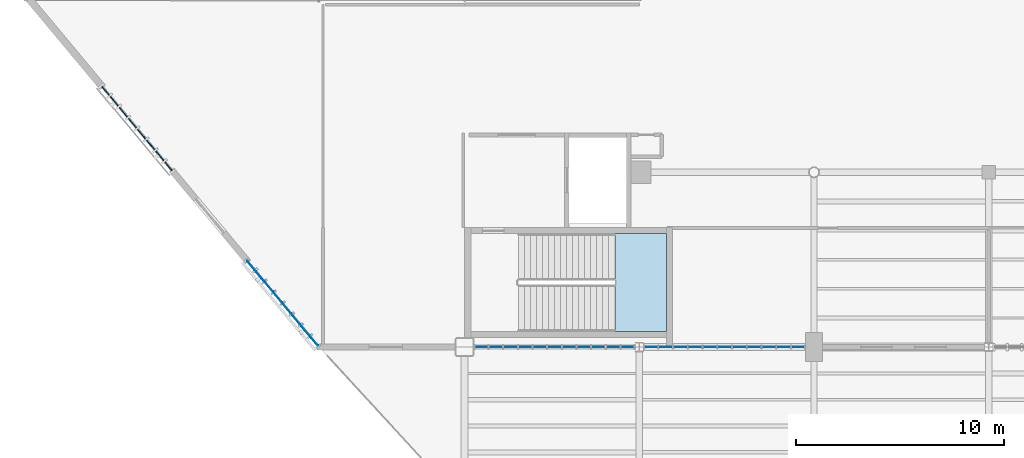
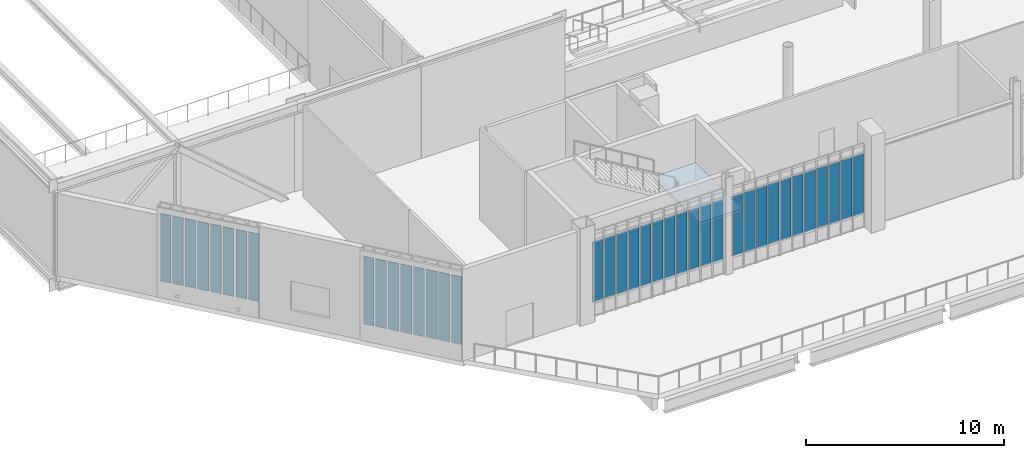
# One storey, part 65 of 135: 38 plates, 1 slab, 5 elements without a shape of their own.
"""IFC4 building model written with IfcOpenShell, lengths in metres."""

from ifc_helpers import new_model, si_unit, direction, frame, origin, origin_2d, place, context, subcontext, project, spatial, polyline, rectangle, outline, extrude, material, layer, layer_set, type_object, element, aggregate, save


model = new_model("IFC4")

# Units and contexts
model_context = context("Model", 3, precision=1e-05, world=origin(), true_north=direction((0.0, 1.0)))
body_context = subcontext(model_context, "Body", "Model", "MODEL_VIEW")
ifc_project = project(units=[si_unit("LENGTHUNIT", "METRE"), si_unit("AREAUNIT", "SQUARE_METRE"), si_unit("VOLUMEUNIT", "CUBIC_METRE"), si_unit("PLANEANGLEUNIT", "RADIAN"), si_unit("MASSUNIT", "GRAM", prefix="KILO")], contexts=[model_context])

# Site, building, storey
site_placement = place(None, origin())
site = spatial("IfcSite", under=ifc_project, at=site_placement, CompositionType="ELEMENT")
building_placement = place(site_placement, origin())
building = spatial("IfcBuilding", under=site, at=building_placement, Name="Larkvane Passage Sports Hall", CompositionType="ELEMENT")
storey_placement = place(building_placement, frame((0.0, 0.0, 10.800048828125)))
storey = spatial("IfcBuildingStorey", under=building, at=storey_placement, Name="L02", CompositionType="ELEMENT", Elevation=10.800048828125)

# Curtain wall, plates
ifc_material_1 = material(Name="Thermally broken aluminium and low-E glazing", Category="aluminium")
curtain_wall_type_1 = type_object("IfcCurtainWallType", Name="CW-UNIT-COURT", PredefinedType="USERDEFINED", material=ifc_material_1)
curtain_wall_1_placement = place(storey_placement, origin())
curtain_wall_1 = element("IfcCurtainWall", 1, at=curtain_wall_1_placement, inside=storey, type_object=curtain_wall_type_1, Name="Curtain wall CW5-L02-088", ObjectType="UNITISED CURTAIN WALL", PredefinedType="USERDEFINED")
ifc_material_2 = material(Name="Solar-control low-E double glazing", Category="glass")
ifc_layer_1 = layer(ifc_material_2, 0.028076171875)
ifc_layer_set_1 = layer_set([ifc_layer_1], Name="Solar-control low-E double glazing")
plate_type_1 = type_object("IfcPlateType", Name="CWP-VIS-28", PredefinedType="CURTAIN_PANEL", material=ifc_layer_set_1)
plate_1_placement = place(storey_placement, frame((50.833251953125, 22.800048828125, 0.88232421875), z_axis=(0.0, 0.0, 1.0), x_axis=(-1.0, 0.0, 0.0)))
plate_1 = element("IfcPlate", 2, at=plate_1_placement, type_object=plate_type_1, Name="CW-01 panel 1.2", PredefinedType="CURTAIN_PANEL", context=body_context, shape_type="SweptSolid", body=[
    extrude(rectangle(XDim=0.611572265625, YDim=0.028076171875, at=origin_2d()), origin(), (0.0, 0.0, 1.0), 3.68310546875),
])
plate_2_placement = place(storey_placement, frame((50.140380859375, 22.800048828125, 0.88232421875), z_axis=(0.0, 0.0, 1.0), x_axis=(-1.0, 0.0, 0.0)))
plate_2 = element("IfcPlate", 3, at=plate_2_placement, type_object=plate_type_1, Name="CW-01 panel 2.2", PredefinedType="CURTAIN_PANEL", context=body_context, shape_type="SweptSolid", body=[
    extrude(rectangle(XDim=0.64404296875, YDim=0.028076171875, at=origin_2d()), origin(), (0.0, 0.0, 1.0), 3.68310546875),
])
plate_3_placement = place(storey_placement, frame((49.431396484375, 22.800048828125, 0.88232421875), z_axis=(0.0, 0.0, 1.0), x_axis=(-1.0, 0.0, 0.0)))
plate_3 = element("IfcPlate", 4, at=plate_3_placement, type_object=plate_type_1, Name="CW-01 panel 3.2", PredefinedType="CURTAIN_PANEL", context=body_context, shape_type="SweptSolid", body=[
    extrude(rectangle(XDim=0.64404296875, YDim=0.028076171875, at=origin_2d()), origin(), (0.0, 0.0, 1.0), 3.68310546875),
])
plate_4_placement = place(storey_placement, frame((48.722412109375, 22.800048828125, 0.88232421875), z_axis=(0.0, 0.0, 1.0), x_axis=(-1.0, 0.0, 0.0)))
plate_4 = element("IfcPlate", 5, at=plate_4_placement, type_object=plate_type_1, Name="CW-01 panel 4.2", PredefinedType="CURTAIN_PANEL", context=body_context, shape_type="SweptSolid", body=[
    extrude(rectangle(XDim=0.64404296875, YDim=0.028076171875, at=origin_2d()), origin(), (0.0, 0.0, 1.0), 3.68310546875),
])
plate_5_placement = place(storey_placement, frame((48.01318359375, 22.800048828125, 0.88232421875), z_axis=(0.0, 0.0, 1.0), x_axis=(-1.0, 0.0, 0.0)))
plate_5 = element("IfcPlate", 6, at=plate_5_placement, type_object=plate_type_1, Name="CW-01 panel 5.2", PredefinedType="CURTAIN_PANEL", context=body_context, shape_type="SweptSolid", body=[
    extrude(rectangle(XDim=0.64404296875, YDim=0.028076171875, at=origin_2d()), origin(), (0.0, 0.0, 1.0), 3.68310546875),
])
plate_6_placement = place(storey_placement, frame((47.30419921875, 22.800048828125, 0.88232421875), z_axis=(0.0, 0.0, 1.0), x_axis=(-1.0, 0.0, 0.0)))
plate_6 = element("IfcPlate", 7, at=plate_6_placement, type_object=plate_type_1, Name="CW-01 panel 6.2", PredefinedType="CURTAIN_PANEL", context=body_context, shape_type="SweptSolid", body=[
    extrude(rectangle(XDim=0.64404296875, YDim=0.028076171875, at=origin_2d()), origin(), (0.0, 0.0, 1.0), 3.68310546875),
])
plate_7_placement = place(storey_placement, frame((46.59521484375, 22.800048828125, 0.88232421875), z_axis=(0.0, 0.0, 1.0), x_axis=(-1.0, 0.0, 0.0)))
plate_7 = element("IfcPlate", 8, at=plate_7_placement, type_object=plate_type_1, Name="CW-01 panel 7.2", PredefinedType="CURTAIN_PANEL", context=body_context, shape_type="SweptSolid", body=[
    extrude(rectangle(XDim=0.64404296875, YDim=0.028076171875, at=origin_2d()), origin(), (0.0, 0.0, 1.0), 3.68310546875),
])
plate_8_placement = place(storey_placement, frame((45.88623046875, 22.800048828125, 0.88232421875), z_axis=(0.0, 0.0, 1.0), x_axis=(-1.0, 0.0, 0.0)))
plate_8 = element("IfcPlate", 9, at=plate_8_placement, type_object=plate_type_1, Name="CW-01 panel 8.2", PredefinedType="CURTAIN_PANEL", context=body_context, shape_type="SweptSolid", body=[
    extrude(rectangle(XDim=0.64404296875, YDim=0.028076171875, at=origin_2d()), origin(), (0.0, 0.0, 1.0), 3.68310546875),
])
plate_9_placement = place(storey_placement, frame((45.177001953125, 22.800048828125, 0.88232421875), z_axis=(0.0, 0.0, 1.0), x_axis=(-1.0, 0.0, 0.0)))
plate_9 = element("IfcPlate", 10, at=plate_9_placement, type_object=plate_type_1, Name="CW-01 panel 9.2", PredefinedType="CURTAIN_PANEL", context=body_context, shape_type="SweptSolid", body=[
    extrude(rectangle(XDim=0.64404296875, YDim=0.028076171875, at=origin_2d()), origin(), (0.0, 0.0, 1.0), 3.68310546875),
])
plate_10_placement = place(storey_placement, frame((44.468017578125, 22.800048828125, 0.88232421875), z_axis=(0.0, 0.0, 1.0), x_axis=(-1.0, 0.0, 0.0)))
plate_10 = element("IfcPlate", 11, at=plate_10_placement, type_object=plate_type_1, Name="CW-01 panel 10.2", PredefinedType="CURTAIN_PANEL", context=body_context, shape_type="SweptSolid", body=[
    extrude(rectangle(XDim=0.64404296875, YDim=0.028076171875, at=origin_2d()), origin(), (0.0, 0.0, 1.0), 3.68310546875),
])
plate_11_placement = place(storey_placement, frame((43.775390625, 22.800048828125, 0.88232421875), z_axis=(0.0, 0.0, 1.0), x_axis=(-1.0, 0.0, 0.0)))
plate_11 = element("IfcPlate", 12, at=plate_11_placement, type_object=plate_type_1, Name="CW-01 panel 11.2", PredefinedType="CURTAIN_PANEL", context=body_context, shape_type="SweptSolid", body=[
    extrude(rectangle(XDim=0.611572265625, YDim=0.028076171875, at=origin_2d()), origin(), (0.0, 0.0, 1.0), 3.68310546875),
])
aggregate(curtain_wall_1, [plate_1, plate_2, plate_3, plate_4, plate_5, plate_6, plate_7, plate_8, plate_9, plate_10, plate_11])

curtain_wall_type_2 = type_object("IfcCurtainWallType", Name="CW-UNIT-VEIL", PredefinedType="USERDEFINED", material=ifc_material_1)
curtain_wall_2_placement = place(storey_placement, origin())
curtain_wall_2 = element("IfcCurtainWall", 13, at=curtain_wall_2_placement, inside=storey, type_object=curtain_wall_type_2, Name="Curtain wall CW5-L02-089", ObjectType="UNITISED CURTAIN WALL", PredefinedType="USERDEFINED")
ifc_material_3 = material(Name="Laminated acoustic low-E glazing", Category="glass")
ifc_layer_2 = layer(ifc_material_3, 0.031982421875)
ifc_layer_set_2 = layer_set([ifc_layer_2], Name="Laminated acoustic low-E glazing")
plate_type_2 = type_object("IfcPlateType", Name="CWP-VIS-32", PredefinedType="CURTAIN_PANEL", material=ifc_layer_set_2)
plate_12_placement = place(storey_placement, frame((42.62451171875, 22.800048828125, 0.8876953125), z_axis=(0.0, 0.0, 1.0), x_axis=(-1.0, 0.0, 0.0)))
plate_12 = element("IfcPlate", 14, at=plate_12_placement, type_object=plate_type_2, Name="CW-02 panel 1.2", PredefinedType="CURTAIN_PANEL", context=body_context, shape_type="SweptSolid", body=[
    extrude(rectangle(XDim=0.592041015625, YDim=0.031982421875, at=origin_2d()), origin(), (0.0, 0.0, 1.0), 3.722900390625),
])
plate_13_placement = place(storey_placement, frame((41.938720703125, 22.800048828125, 0.8876953125), z_axis=(0.0, 0.0, 1.0), x_axis=(-1.0, 0.0, 0.0)))
plate_13 = element("IfcPlate", 15, at=plate_13_placement, type_object=plate_type_2, Name="CW-02 panel 2.2", PredefinedType="CURTAIN_PANEL", context=body_context, shape_type="SweptSolid", body=[
    extrude(rectangle(XDim=0.62939453125, YDim=0.031982421875, at=origin_2d()), origin(), (0.0, 0.0, 1.0), 3.722900390625),
])
plate_14_placement = place(storey_placement, frame((41.234130859375, 22.800048828125, 0.8876953125), z_axis=(0.0, 0.0, 1.0), x_axis=(-1.0, 0.0, 0.0)))
plate_14 = element("IfcPlate", 16, at=plate_14_placement, type_object=plate_type_2, Name="CW-02 panel 3.2", PredefinedType="CURTAIN_PANEL", context=body_context, shape_type="SweptSolid", body=[
    extrude(rectangle(XDim=0.62939453125, YDim=0.031982421875, at=origin_2d()), origin(), (0.0, 0.0, 1.0), 3.722900390625),
])
plate_15_placement = place(storey_placement, frame((40.52978515625, 22.800048828125, 0.8876953125), z_axis=(0.0, 0.0, 1.0), x_axis=(-1.0, 0.0, 0.0)))
plate_15 = element("IfcPlate", 17, at=plate_15_placement, type_object=plate_type_2, Name="CW-02 panel 4.2", PredefinedType="CURTAIN_PANEL", context=body_context, shape_type="SweptSolid", body=[
    extrude(rectangle(XDim=0.62939453125, YDim=0.031982421875, at=origin_2d()), origin(), (0.0, 0.0, 1.0), 3.722900390625),
])
plate_16_placement = place(storey_placement, frame((39.8251953125, 22.800048828125, 0.8876953125), z_axis=(0.0, 0.0, 1.0), x_axis=(-1.0, 0.0, 0.0)))
plate_16 = element("IfcPlate", 18, at=plate_16_placement, type_object=plate_type_2, Name="CW-02 panel 5.2", PredefinedType="CURTAIN_PANEL", context=body_context, shape_type="SweptSolid", body=[
    extrude(rectangle(XDim=0.62939453125, YDim=0.031982421875, at=origin_2d()), origin(), (0.0, 0.0, 1.0), 3.722900390625),
])
plate_17_placement = place(storey_placement, frame((39.120849609375, 22.800048828125, 0.8876953125), z_axis=(0.0, 0.0, 1.0), x_axis=(-1.0, 0.0, 0.0)))
plate_17 = element("IfcPlate", 19, at=plate_17_placement, type_object=plate_type_2, Name="CW-02 panel 6.2", PredefinedType="CURTAIN_PANEL", context=body_context, shape_type="SweptSolid", body=[
    extrude(rectangle(XDim=0.62939453125, YDim=0.031982421875, at=origin_2d()), origin(), (0.0, 0.0, 1.0), 3.722900390625),
])
plate_18_placement = place(storey_placement, frame((38.416259765625, 22.800048828125, 0.8876953125), z_axis=(0.0, 0.0, 1.0), x_axis=(-1.0, 0.0, 0.0)))
plate_18 = element("IfcPlate", 20, at=plate_18_placement, type_object=plate_type_2, Name="CW-02 panel 7.2", PredefinedType="CURTAIN_PANEL", context=body_context, shape_type="SweptSolid", body=[
    extrude(rectangle(XDim=0.62939453125, YDim=0.031982421875, at=origin_2d()), origin(), (0.0, 0.0, 1.0), 3.722900390625),
])
plate_19_placement = place(storey_placement, frame((37.711669921875, 22.800048828125, 0.8876953125), z_axis=(0.0, 0.0, 1.0), x_axis=(-1.0, 0.0, 0.0)))
plate_19 = element("IfcPlate", 21, at=plate_19_placement, type_object=plate_type_2, Name="CW-02 panel 8.2", PredefinedType="CURTAIN_PANEL", context=body_context, shape_type="SweptSolid", body=[
    extrude(rectangle(XDim=0.62939453125, YDim=0.031982421875, at=origin_2d()), origin(), (0.0, 0.0, 1.0), 3.722900390625),
])
plate_20_placement = place(storey_placement, frame((37.00732421875, 22.800048828125, 0.8876953125), z_axis=(0.0, 0.0, 1.0), x_axis=(-1.0, 0.0, 0.0)))
plate_20 = element("IfcPlate", 22, at=plate_20_placement, type_object=plate_type_2, Name="CW-02 panel 9.2", PredefinedType="CURTAIN_PANEL", context=body_context, shape_type="SweptSolid", body=[
    extrude(rectangle(XDim=0.62939453125, YDim=0.031982421875, at=origin_2d()), origin(), (0.0, 0.0, 1.0), 3.722900390625),
])
plate_21_placement = place(storey_placement, frame((36.302734375, 22.800048828125, 0.8876953125), z_axis=(0.0, 0.0, 1.0), x_axis=(-1.0, 0.0, 0.0)))
plate_21 = element("IfcPlate", 23, at=plate_21_placement, type_object=plate_type_2, Name="CW-02 panel 10.2", PredefinedType="CURTAIN_PANEL", context=body_context, shape_type="SweptSolid", body=[
    extrude(rectangle(XDim=0.62939453125, YDim=0.031982421875, at=origin_2d()), origin(), (0.0, 0.0, 1.0), 3.722900390625),
])
plate_22_placement = place(storey_placement, frame((35.616943359375, 22.800048828125, 0.8876953125), z_axis=(0.0, 0.0, 1.0), x_axis=(-1.0, 0.0, 0.0)))
plate_22 = element("IfcPlate", 24, at=plate_22_placement, type_object=plate_type_2, Name="CW-02 panel 11.2", PredefinedType="CURTAIN_PANEL", context=body_context, shape_type="SweptSolid", body=[
    extrude(rectangle(XDim=0.592041015625, YDim=0.031982421875, at=origin_2d()), origin(), (0.0, 0.0, 1.0), 3.722900390625),
])
aggregate(curtain_wall_2, [plate_12, plate_13, plate_14, plate_15, plate_16, plate_17, plate_18, plate_19, plate_20, plate_21, plate_22])

curtain_wall_type_3 = type_object("IfcCurtainWallType", Name="CW-STICK-FOYER", PredefinedType="USERDEFINED", material=ifc_material_1)
curtain_wall_3_placement = place(storey_placement, origin())
curtain_wall_3 = element("IfcCurtainWall", 25, at=curtain_wall_3_placement, inside=storey, type_object=curtain_wall_type_3, Name="Curtain wall CW5-L02-090", ObjectType="STICK CURTAIN WALL", PredefinedType="USERDEFINED")
ifc_material_4 = material(Name="High-impact court low-E glazing", Category="glass")
ifc_layer_3 = layer(ifc_material_4, 0.035888671875)
ifc_layer_set_3 = layer_set([ifc_layer_3], Name="High-impact court low-E glazing")
plate_type_3 = type_object("IfcPlateType", Name="CWP-VIS-36", PredefinedType="CURTAIN_PANEL", material=ifc_layer_set_3)
plate_23_placement = place(storey_placement, frame((27.56689453125, 23.079833984375, 0.89501953125), z_axis=(0.0, 0.0, 1.0), x_axis=(-0.640184399661, 0.7682212796, 0.0)))
plate_23 = element("IfcPlate", 26, at=plate_23_placement, type_object=plate_type_3, Name="CW-03 panel 1.2", PredefinedType="CURTAIN_PANEL", context=body_context, shape_type="SweptSolid", body=[
    extrude(rectangle(XDim=0.54833984375, YDim=0.035888671875, at=origin_2d()), origin(), (0.0, 0.0, 1.0), 4.18994140625),
])
plate_24_placement = place(storey_placement, frame((27.143798828125, 23.58740234375, 0.89501953125), z_axis=(0.0, 0.0, 1.0), x_axis=(-0.640184399661, 0.7682212796, 0.0)))
plate_24 = element("IfcPlate", 27, at=plate_24_placement, type_object=plate_type_3, Name="CW-03 panel 2.2", PredefinedType="CURTAIN_PANEL", context=body_context, shape_type="SweptSolid", body=[
    extrude(rectangle(XDim=0.593505859375, YDim=0.035888671875, at=origin_2d()), origin(), (0.0, 0.0, 1.0), 4.18994140625),
])
plate_25_placement = place(storey_placement, frame((26.706298828125, 24.112548828125, 0.89501953125), z_axis=(0.0, 0.0, 1.0), x_axis=(-0.640184399661, 0.7682212796, 0.0)))
plate_25 = element("IfcPlate", 28, at=plate_25_placement, type_object=plate_type_3, Name="CW-03 panel 3.2", PredefinedType="CURTAIN_PANEL", context=body_context, shape_type="SweptSolid", body=[
    extrude(rectangle(XDim=0.593505859375, YDim=0.035888671875, at=origin_2d()), origin(), (0.0, 0.0, 1.0), 4.18994140625),
])
plate_26_placement = place(storey_placement, frame((26.268798828125, 24.637451171875, 0.89501953125), z_axis=(0.0, 0.0, 1.0), x_axis=(-0.640184399661, 0.7682212796, 0.0)))
plate_26 = element("IfcPlate", 29, at=plate_26_placement, type_object=plate_type_3, Name="CW-03 panel 4.2", PredefinedType="CURTAIN_PANEL", context=body_context, shape_type="SweptSolid", body=[
    extrude(rectangle(XDim=0.593505859375, YDim=0.035888671875, at=origin_2d()), origin(), (0.0, 0.0, 1.0), 4.18994140625),
])
plate_27_placement = place(storey_placement, frame((25.831298828125, 25.16259765625, 0.89501953125), z_axis=(0.0, 0.0, 1.0), x_axis=(-0.640184399661, 0.7682212796, 0.0)))
plate_27 = element("IfcPlate", 30, at=plate_27_placement, type_object=plate_type_3, Name="CW-03 panel 5.2", PredefinedType="CURTAIN_PANEL", context=body_context, shape_type="SweptSolid", body=[
    extrude(rectangle(XDim=0.593505859375, YDim=0.035888671875, at=origin_2d()), origin(), (0.0, 0.0, 1.0), 4.18994140625),
])
plate_28_placement = place(storey_placement, frame((25.393798828125, 25.6875, 0.89501953125), z_axis=(0.0, 0.0, 1.0), x_axis=(-0.640184399661, 0.7682212796, 0.0)))
plate_28 = element("IfcPlate", 31, at=plate_28_placement, type_object=plate_type_3, Name="CW-03 panel 6.2", PredefinedType="CURTAIN_PANEL", context=body_context, shape_type="SweptSolid", body=[
    extrude(rectangle(XDim=0.593505859375, YDim=0.035888671875, at=origin_2d()), origin(), (0.0, 0.0, 1.0), 4.18994140625),
])
plate_29_placement = place(storey_placement, frame((24.956298828125, 26.21240234375, 0.89501953125), z_axis=(0.0, 0.0, 1.0), x_axis=(-0.640184399661, 0.7682212796, 0.0)))
plate_29 = element("IfcPlate", 32, at=plate_29_placement, type_object=plate_type_3, Name="CW-03 panel 7.2", PredefinedType="CURTAIN_PANEL", context=body_context, shape_type="SweptSolid", body=[
    extrude(rectangle(XDim=0.593505859375, YDim=0.035888671875, at=origin_2d()), origin(), (0.0, 0.0, 1.0), 4.18994140625),
])
plate_30_placement = place(storey_placement, frame((24.533203125, 26.72021484375, 0.89501953125), z_axis=(0.0, 0.0, 1.0), x_axis=(-0.640184399661, 0.7682212796, 0.0)))
plate_30 = element("IfcPlate", 33, at=plate_30_placement, type_object=plate_type_3, Name="CW-03 panel 8.2", PredefinedType="CURTAIN_PANEL", context=body_context, shape_type="SweptSolid", body=[
    extrude(rectangle(XDim=0.54833984375, YDim=0.035888671875, at=origin_2d()), origin(), (0.0, 0.0, 1.0), 4.18994140625),
])
aggregate(curtain_wall_3, [plate_23, plate_24, plate_25, plate_26, plate_27, plate_28, plate_29, plate_30])

curtain_wall_type_4 = type_object("IfcCurtainWallType", Name="CW-CLINIC", PredefinedType="USERDEFINED", material=ifc_material_1)
curtain_wall_4_placement = place(storey_placement, origin())
curtain_wall_4 = element("IfcCurtainWall", 34, at=curtain_wall_4_placement, inside=storey, type_object=curtain_wall_type_4, Name="Curtain wall CW5-L02-091", ObjectType="UNITISED CURTAIN WALL", PredefinedType="USERDEFINED")
ifc_material_5 = material(Name="Triple-laminated typhoon glazing", Category="glass")
ifc_layer_4 = layer(ifc_material_5, 0.0419921875)
ifc_layer_set_4 = layer_set([ifc_layer_4], Name="Triple-laminated typhoon glazing")
plate_type_4 = type_object("IfcPlateType", Name="CWP-VIS-42", PredefinedType="CURTAIN_PANEL", material=ifc_layer_set_4)
plate_31_placement = place(storey_placement, frame((20.565185546875, 31.481689453125, 0.89990234375), z_axis=(0.0, 0.0, 1.0), x_axis=(-0.640184399661, 0.7682212796, 0.0)))
plate_31 = element("IfcPlate", 35, at=plate_31_placement, type_object=plate_type_4, Name="CW-05 panel 1.2", PredefinedType="CURTAIN_PANEL", context=body_context, shape_type="SweptSolid", body=[
    extrude(rectangle(XDim=0.533447265625, YDim=0.0419921875, at=origin_2d()), origin(), (0.0, 0.0, 1.0), 4.179931640625),
])
plate_32_placement = place(storey_placement, frame((20.143798828125, 31.987548828125, 0.89990234375), z_axis=(0.0, 0.0, 1.0), x_axis=(-0.640184399661, 0.7682212796, 0.0)))
plate_32 = element("IfcPlate", 36, at=plate_32_placement, type_object=plate_type_4, Name="CW-05 panel 2.2", PredefinedType="CURTAIN_PANEL", context=body_context, shape_type="SweptSolid", body=[
    extrude(rectangle(XDim=0.58349609375, YDim=0.0419921875, at=origin_2d()), origin(), (0.0, 0.0, 1.0), 4.179931640625),
])
plate_33_placement = place(storey_placement, frame((19.706298828125, 32.512451171875, 0.89990234375), z_axis=(0.0, 0.0, 1.0), x_axis=(-0.640184399661, 0.7682212796, 0.0)))
plate_33 = element("IfcPlate", 37, at=plate_33_placement, type_object=plate_type_4, Name="CW-05 panel 3.2", PredefinedType="CURTAIN_PANEL", context=body_context, shape_type="SweptSolid", body=[
    extrude(rectangle(XDim=0.58349609375, YDim=0.0419921875, at=origin_2d()), origin(), (0.0, 0.0, 1.0), 4.179931640625),
])
plate_34_placement = place(storey_placement, frame((19.268798828125, 33.03759765625, 0.89990234375), z_axis=(0.0, 0.0, 1.0), x_axis=(-0.640184399661, 0.7682212796, 0.0)))
plate_34 = element("IfcPlate", 38, at=plate_34_placement, type_object=plate_type_4, Name="CW-05 panel 4.2", PredefinedType="CURTAIN_PANEL", context=body_context, shape_type="SweptSolid", body=[
    extrude(rectangle(XDim=0.58349609375, YDim=0.0419921875, at=origin_2d()), origin(), (0.0, 0.0, 1.0), 4.179931640625),
])
plate_35_placement = place(storey_placement, frame((18.831298828125, 33.5625, 0.89990234375), z_axis=(0.0, 0.0, 1.0), x_axis=(-0.640184399661, 0.7682212796, 0.0)))
plate_35 = element("IfcPlate", 39, at=plate_35_placement, type_object=plate_type_4, Name="CW-05 panel 5.2", PredefinedType="CURTAIN_PANEL", context=body_context, shape_type="SweptSolid", body=[
    extrude(rectangle(XDim=0.58349609375, YDim=0.0419921875, at=origin_2d()), origin(), (0.0, 0.0, 1.0), 4.179931640625),
])
plate_36_placement = place(storey_placement, frame((18.393798828125, 34.08740234375, 0.89990234375), z_axis=(0.0, 0.0, 1.0), x_axis=(-0.640184399661, 0.7682212796, 0.0)))
plate_36 = element("IfcPlate", 40, at=plate_36_placement, type_object=plate_type_4, Name="CW-05 panel 6.2", PredefinedType="CURTAIN_PANEL", context=body_context, shape_type="SweptSolid", body=[
    extrude(rectangle(XDim=0.58349609375, YDim=0.0419921875, at=origin_2d()), origin(), (0.0, 0.0, 1.0), 4.179931640625),
])
plate_37_placement = place(storey_placement, frame((17.956298828125, 34.612548828125, 0.89990234375), z_axis=(0.0, 0.0, 1.0), x_axis=(-0.640184399661, 0.7682212796, 0.0)))
plate_37 = element("IfcPlate", 41, at=plate_37_placement, type_object=plate_type_4, Name="CW-05 panel 7.2", PredefinedType="CURTAIN_PANEL", context=body_context, shape_type="SweptSolid", body=[
    extrude(rectangle(XDim=0.58349609375, YDim=0.0419921875, at=origin_2d()), origin(), (0.0, 0.0, 1.0), 4.179931640625),
])
plate_38_placement = place(storey_placement, frame((17.53466796875, 35.118408203125, 0.89990234375), z_axis=(0.0, 0.0, 1.0), x_axis=(-0.640184399661, 0.7682212796, 0.0)))
plate_38 = element("IfcPlate", 42, at=plate_38_placement, type_object=plate_type_4, Name="CW-05 panel 8.2", PredefinedType="CURTAIN_PANEL", context=body_context, shape_type="SweptSolid", body=[
    extrude(rectangle(XDim=0.533447265625, YDim=0.0419921875, at=origin_2d()), origin(), (0.0, 0.0, 1.0), 4.179931640625),
])
aggregate(curtain_wall_4, [plate_31, plate_32, plate_33, plate_34, plate_35, plate_36, plate_37, plate_38])

# Stair, slab
ifc_material_6 = material(Name="Concrete C40/50", Category="concrete")
stair_type = type_object("IfcStairType", Name="STR-CORE-2250", PredefinedType="HALF_TURN_STAIR", material=ifc_material_6)
stair_placement = place(storey_placement, origin())
stair = element("IfcStair", 43, at=stair_placement, inside=storey, type_object=stair_type, Name="L02 Protected exit stair ST-01", PredefinedType="HALF_TURN_STAIR")
ifc_layer_5 = layer(ifc_material_6, 0.199951171875)
ifc_layer_set_5 = layer_set([ifc_layer_5], Name="Concrete C40/50")
slab_type = type_object("IfcSlabType", Name="SLB-LAND-200", PredefinedType="LANDING", material=ifc_layer_set_5)
slab_placement = place(storey_placement, frame((0.0, 0.0, 2.800048828125)))
slab = element("IfcSlab", 44, at=slab_placement, type_object=slab_type, Name="ST-01 landing 1", PredefinedType="LANDING", context=body_context, shape_type="SweptSolid", body=[
    extrude(outline(polyline([(42.02001953125, 23.550048828125), (44.5, 23.550048828125), (44.5, 28.25), (42.02001953125, 28.25), (42.02001953125, 23.550048828125)])), origin(), (0.0, 0.0, 1.0), 0.199951171875),
])
aggregate(stair, [slab])

save(model, "model.ifc")
